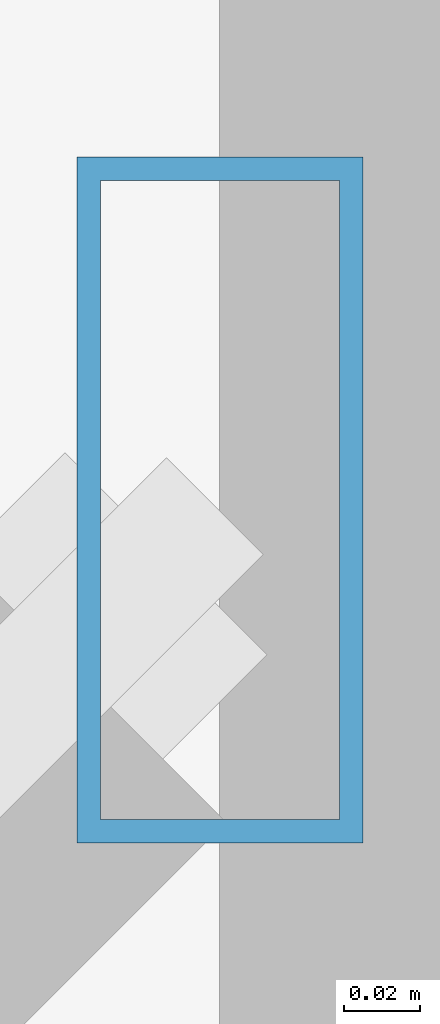
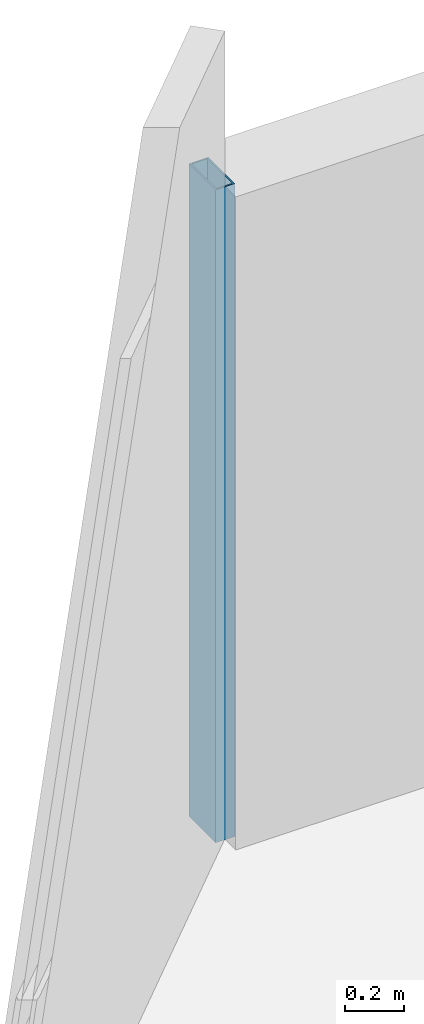
# One storey, part 18 of 35: 1 member, 1 element without a shape of its own.
"""IFC4 building model written with IfcOpenShell, lengths in metres."""

import ifcopenshell
import ifcopenshell.guid

model = None  # the IFC model being written
_history = None  # IfcOwnerHistory: only IFC2X3 demands one
_inside = {}  # id of a spatial element -> (the spatial element, [elements in it])
_under = {}  # id of a project, library or spatial element -> (it, [spatial elements below it])
_declared = {}  # id of a project -> (the project, [libraries it declares])
_typed = {}  # id of a type object -> (the type object, [elements of that type])
_made_of = {}  # id of a material, layer set ... -> (it, [elements and type objects made of it])


def new_model(schema):
    """Start an empty IFC model of exactly this schema.

    Asked for "IFC4X3", IfcOpenShell would pick the latest addendum, in which some entities
    have other attributes; the version numbers below select the first issue.
    IFC2X3 requires an IfcOwnerHistory on every rooted entity: one is made here for all.
    """
    global model, _history
    if schema == "IFC4X3":
        model = ifcopenshell.file(schema_version=(4, 3, 0, 0))
    else:
        model = ifcopenshell.file(schema=schema)
    _inside.clear()
    _under.clear()
    _declared.clear()
    _typed.clear()
    _made_of.clear()
    _history = None
    if model.schema == "IFC2X3":
        org = make("IfcOrganization", Name="unknown")
        user = make(
            "IfcPersonAndOrganization",
            ThePerson=make("IfcPerson", FamilyName="unknown"),
            TheOrganization=org,
        )
        app = make(
            "IfcApplication",
            ApplicationDeveloper=org,
            Version="unknown",
            ApplicationFullName="unknown",
            ApplicationIdentifier="unknown",
        )
        _history = make(
            "IfcOwnerHistory",
            OwningUser=user,
            OwningApplication=app,
            ChangeAction="ADDED",
            CreationDate=0,
        )
    return model


def make(cls, **values):
    """One entity of the class cls with the attributes given. An attribute that is None is left unset."""
    return model.create_entity(
        cls, **{name: value for name, value in values.items() if value is not None}
    )


def rooted(cls, **values):
    """An entity with a GlobalId (a new one), such as an element, a storey or a relation."""
    return make(cls, GlobalId=ifcopenshell.guid.new(), OwnerHistory=_history, **values)


def si_unit(unit_type, name, prefix=None):
    """IfcSIUnit, for example si_unit("LENGTHUNIT", "METRE", prefix="MILLI")."""
    return make("IfcSIUnit", UnitType=unit_type, Prefix=prefix, Name=name)


def assignment(units):
    """IfcUnitAssignment: the units of a project."""
    return None if units is None else make("IfcUnitAssignment", Units=units)


def point(xyz):
    """IfcCartesianPoint."""
    return None if xyz is None else make("IfcCartesianPoint", Coordinates=xyz)


def direction(xyz):
    """IfcDirection."""
    return None if xyz is None else make("IfcDirection", DirectionRatios=xyz)


def frame(location, z_axis=None, x_axis=None):
    """IfcAxis2Placement3D, a coordinate frame: its origin and axes. An axis left out is left unset."""
    return make(
        "IfcAxis2Placement3D",
        Location=point(location),
        Axis=direction(z_axis),
        RefDirection=direction(x_axis),
    )


def frame_2d(location, x_axis=None):
    """IfcAxis2Placement2D, a coordinate frame in the plane: its origin and x axis."""
    return make(
        "IfcAxis2Placement2D", Location=point(location), RefDirection=direction(x_axis)
    )


def origin():
    """The frame at (0, 0, 0) with its axes left unset."""
    return frame((0.0, 0.0, 0.0))


def origin_2d():
    """The frame at (0, 0) in the plane with its x axis left unset."""
    return frame_2d((0.0, 0.0))


def place(relative_to, where):
    """IfcLocalPlacement: puts the frame where relative to a parent placement (None: the world)."""
    return make(
        "IfcLocalPlacement", PlacementRelTo=relative_to, RelativePlacement=where
    )


def context(
    kind, dimensions, precision=None, world=None, true_north=None, identifier=None
):
    """IfcGeometricRepresentationContext, for example the 3D "Model" context."""
    return make(
        "IfcGeometricRepresentationContext",
        ContextIdentifier=identifier,
        ContextType=kind,
        CoordinateSpaceDimension=dimensions,
        Precision=precision,
        WorldCoordinateSystem=world,
        TrueNorth=true_north,
    )


def subcontext(parent, identifier, kind, view, scale=None):
    """IfcGeometricRepresentationSubContext, for example "Body" below "Model"."""
    return make(
        "IfcGeometricRepresentationSubContext",
        ContextIdentifier=identifier,
        ContextType=kind,
        ParentContext=parent,
        TargetScale=scale,
        TargetView=view,
    )


def project(units=None, contexts=None):
    """IfcProject with its units and contexts."""
    return rooted(
        "IfcProject",
        Name="project",
        RepresentationContexts=contexts,
        UnitsInContext=assignment(units),
    )


def spatial(cls, under=None, at=None, **own):
    """A site, building, storey or space (cls), placed at a placement, below another one or the project."""
    s = rooted(cls, ObjectPlacement=at, **own)
    if under is not None:
        _under.setdefault(under.id(), (under, []))[1].append(s)
    return s


def profile(cls, at=None, kind="AREA", **sizes):
    """A parametric profile (cls). Its sizes go by their IFC names, for example OverallWidth=200.0."""
    return make(cls, ProfileType=kind, Position=at, **sizes)


def hollow_rectangle(**sizes):
    """IfcRectangleHollowProfileDef."""
    return profile("IfcRectangleHollowProfileDef", **sizes)


def extrude(swept, where, along, depth):
    """IfcExtrudedAreaSolid: the profile swept, set in the frame where, extruded along a direction by depth."""
    return make(
        "IfcExtrudedAreaSolid",
        SweptArea=swept,
        Position=where,
        ExtrudedDirection=direction(along),
        Depth=depth,
    )


def shape(context_of_items, identifier, shape_type, items):
    """IfcShapeRepresentation: the items that make up one representation, for example the "Body"."""
    return make(
        "IfcShapeRepresentation",
        ContextOfItems=context_of_items,
        RepresentationIdentifier=identifier,
        RepresentationType=shape_type,
        Items=items,
    )


def material(Name=None, Category=None):
    """IfcMaterial."""
    return make("IfcMaterial", Name=Name, Category=Category)


def material_profile(
    of_material, cross_section, Name=None, Category=None, Priority=None
):
    """IfcMaterialProfile: a cross section and its material."""
    return make(
        "IfcMaterialProfile",
        Name=Name,
        Material=of_material,
        Profile=cross_section,
        Priority=Priority,
        Category=Category,
    )


def profile_set(profiles, Name=None, composite=None):
    """IfcMaterialProfileSet."""
    return make(
        "IfcMaterialProfileSet",
        Name=Name,
        MaterialProfiles=profiles,
        CompositeProfile=composite,
    )


def made_of(thing, what):
    """Note that an element or type object is made of a material, layer set ...; save() writes the relation."""
    if what is not None:
        _made_of.setdefault(what.id(), (what, []))[1].append(thing)
    return thing


def type_object(cls, material=None, **own):
    """A type object (cls), such as IfcWallType, which elements share."""
    return made_of(rooted(cls, **own), material)


def element(
    cls,
    number,
    at=None,
    inside=None,
    cuts=None,
    type_object=None,
    material=None,
    context=None,
    identifier="Body",
    shape_type=None,
    held_by="IfcProductDefinitionShape",
    body=None,
    shapes=None,
    **own,
):
    """One element of the class cls, such as IfcWall. Its Tag is "e" and its number.

    at: its placement. inside: the storey or other place that contains it. cuts: it is an
    opening in that element (IfcRelVoidsElement). A single representation is given by context,
    identifier, shape_type and body (its items); several are given by shapes. held_by: the class
    of the entity that holds the representations. save() writes the other relations.
    """
    e = rooted(cls, Tag="e%d" % number, ObjectPlacement=at, **own)
    if body is not None:
        shapes = [shape(context, identifier, shape_type, body)]
    if shapes is not None:
        e.Representation = make(held_by, Representations=shapes)
    if inside is not None:
        _inside.setdefault(inside.id(), (inside, []))[1].append(e)
    if cuts is not None:
        rooted(
            "IfcRelVoidsElement", RelatingBuildingElement=cuts, RelatedOpeningElement=e
        )
    if type_object is not None:
        _typed.setdefault(type_object.id(), (type_object, []))[1].append(e)
    return made_of(e, material)


def aggregate(whole, parts):
    """IfcRelAggregates: a whole, such as a stair, and the parts it consists of."""
    return rooted("IfcRelAggregates", RelatingObject=whole, RelatedObjects=parts)


def save(model, path):
    """Write the relations noted so far, then the file.

    IfcRelAggregates (storeys below a building ...), IfcRelContainedInSpatialStructure (elements
    in a storey), IfcRelDefinesByType, IfcRelAssociatesMaterial and IfcRelDeclares: one each for
    every whole, place, type object, material and project.
    """
    for whole, parts in _under.values():
        aggregate(whole, parts)
    for where, things in _inside.values():
        rooted(
            "IfcRelContainedInSpatialStructure",
            RelatedElements=things,
            RelatingStructure=where,
        )
    for kind, things in _typed.values():
        rooted("IfcRelDefinesByType", RelatedObjects=things, RelatingType=kind)
    for what, things in _made_of.values():
        rooted("IfcRelAssociatesMaterial", RelatedObjects=things, RelatingMaterial=what)
    for by, libraries in _declared.values():
        rooted("IfcRelDeclares", RelatingContext=by, RelatedDefinitions=libraries)
    model.write(path)


model = new_model("IFC4")

# Units and contexts
model_context = context("Model", 3, precision=1e-05, world=origin(), true_north=direction((0.0, 1.0)))
body_context = subcontext(model_context, "Body", "Model", "MODEL_VIEW")
ifc_project = project(units=[si_unit("LENGTHUNIT", "METRE"), si_unit("AREAUNIT", "SQUARE_METRE"), si_unit("VOLUMEUNIT", "CUBIC_METRE"), si_unit("PLANEANGLEUNIT", "RADIAN"), si_unit("MASSUNIT", "GRAM", prefix="KILO")], contexts=[model_context])

# Site, building, storey
site_placement = place(None, origin())
site = spatial("IfcSite", under=ifc_project, at=site_placement, CompositionType="ELEMENT")
building_placement = place(site_placement, origin())
building = spatial("IfcBuilding", under=site, at=building_placement, Name="Thornwick Lancets Civic Towers", CompositionType="ELEMENT")
storey_placement = place(building_placement, frame((0.0, 0.0, 265.5)))
storey = spatial("IfcBuildingStorey", under=building, at=storey_placement, Name="L71", CompositionType="ELEMENT", Elevation=265.5)

# Curtain wall, member
ifc_material_1 = material(Name="High-zone chamfered-corner unitised glass curtain wall", Category="glass")
curtain_wall_type = type_object("IfcCurtainWallType", Name="CW_SYS_05", PredefinedType="NOTDEFINED", material=ifc_material_1)
curtain_wall_placement = place(storey_placement, origin())
curtain_wall = element("IfcCurtainWall", 1, at=curtain_wall_placement, inside=storey, type_object=curtain_wall_type, Name="L71 Curtain Wall CW-L71-B-E5", PredefinedType="NOTDEFINED")
ifc_material_2 = material(Name="Thermally broken bronze aluminium S355", Category="steel")
ifc_material_profile = material_profile(ifc_material_2, hollow_rectangle(XDim=0.074951171875, YDim=0.179931640625, WallThickness=0.006103515625, at=origin_2d()), Name="RHS 180x75x6")
ifc_profile_set = profile_set([ifc_material_profile], Name="Thermally broken bronze aluminium S355")
member_type = type_object("IfcMemberType", Name="CW_MUL_180", PredefinedType="MULLION", material=ifc_profile_set)
member_placement = place(storey_placement, frame((74.146484375, 50.761962890625, 0.0), z_axis=(0.0, 0.0, 1.0), x_axis=(1.0, 0.0, 0.0)))
member = element("IfcMember", 2, at=member_placement, type_object=member_type, Name="CW-L71-B-E5 Mullion 0", PredefinedType="MULLION", context=body_context, shape_type="SweptSolid", body=[
    extrude(hollow_rectangle(XDim=0.074951171875, YDim=0.179931640625, WallThickness=0.006103515625, at=origin_2d()), origin(), (0.0, 0.0, 1.0), 2.699951171875),
])
aggregate(curtain_wall, [member])

save(model, "model.ifc")
